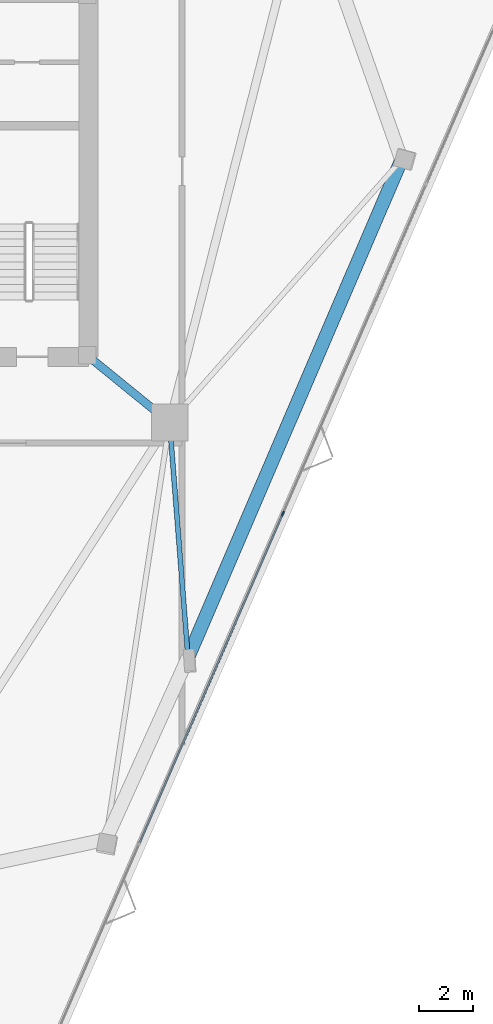
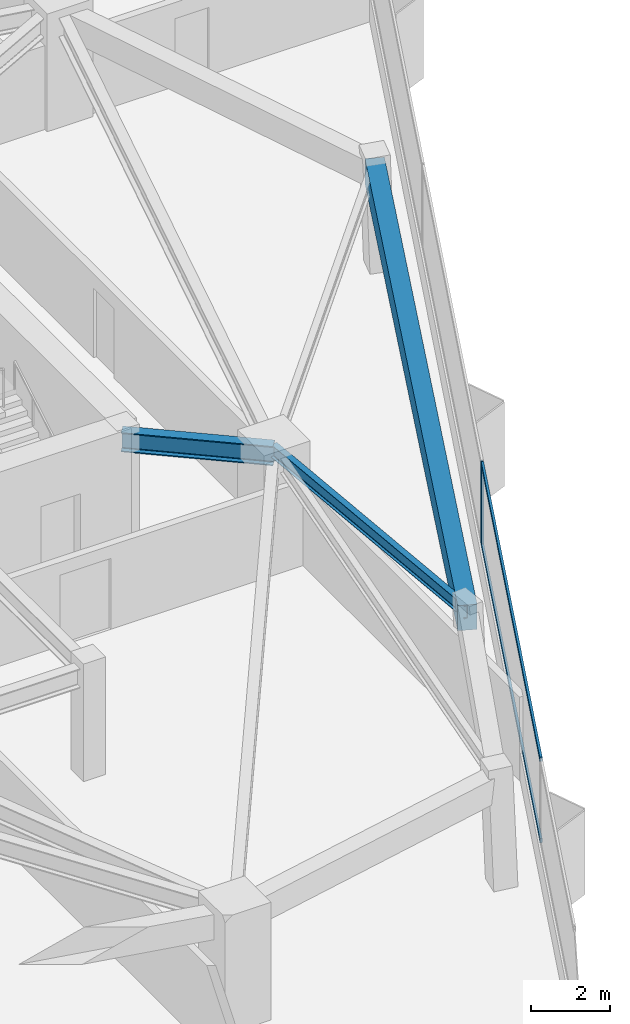
# One storey, part 4 of 12: 3 beams, 3 members, 1 element without a shape of its own.
"""IFC4 building model written with IfcOpenShell, lengths in metres."""

from ifc_helpers import new_model, si_unit, direction, frame, origin, origin_2d, place, context, subcontext, project, spatial, rectangle, i_section, extrude, material, layer, layer_set, material_profile, profile_set, type_object, element, aggregate, save


model = new_model("IFC4")

# Units and contexts
model_context = context("Model", 3, precision=1e-05, world=origin(), true_north=direction((0.0, 1.0)))
body_context = subcontext(model_context, "Body", "Model", "MODEL_VIEW")
ifc_project = project(units=[si_unit("LENGTHUNIT", "METRE"), si_unit("AREAUNIT", "SQUARE_METRE"), si_unit("VOLUMEUNIT", "CUBIC_METRE"), si_unit("PLANEANGLEUNIT", "RADIAN"), si_unit("MASSUNIT", "GRAM", prefix="KILO")], contexts=[model_context])

# Site, building, storey
site_placement = place(None, origin())
site = spatial("IfcSite", under=ifc_project, at=site_placement, CompositionType="ELEMENT")
building_placement = place(site_placement, origin())
building = spatial("IfcBuilding", under=site, at=building_placement, Name="Talyreon Biosciences Tower", CompositionType="ELEMENT")
storey_placement = place(building_placement, frame((0.0, 0.0, 194.0)))
storey = spatial("IfcBuildingStorey", under=building, at=storey_placement, Name="L51", CompositionType="ELEMENT", Elevation=194.0)

# Curtain wall, members
ifc_material_1 = material(Name="Thermally broken aluminium and low-E glazing", Category="aluminium")
ifc_layer = layer(ifc_material_1, 0.179931640625)
ifc_layer_set = layer_set([ifc_layer], Name="Thermally broken aluminium and low-E glazing")
curtain_wall_type = type_object("IfcCurtainWallType", Name="CurtainWall_Zone4Optical", PredefinedType="NOTDEFINED", material=ifc_layer_set)
curtain_wall_placement = place(storey_placement, origin())
curtain_wall = element("IfcCurtainWall", 1, at=curtain_wall_placement, inside=storey, type_object=curtain_wall_type, Name="L51 Unitised Curtain Wall FCW-L51-08", PredefinedType="NOTDEFINED")
ifc_material_2 = material(Name="Anodised thermally broken aluminium", Category="aluminium")
ifc_material_profile_1 = material_profile(ifc_material_2, rectangle(XDim=0.06494140625, YDim=0.179931640625, at=origin_2d()), Name="ALUM MULLION 65x180")
ifc_profile_set_1 = profile_set([ifc_material_profile_1], Name="Anodised thermally broken aluminium")
member_type_1 = type_object("IfcMemberType", Name="CWMullion_65x180", PredefinedType="MULLION", material=ifc_profile_set_1)
member_1_placement = place(storey_placement, frame((81.260498046875, 55.51953125, 0.81005859375), z_axis=(0.0, 0.0, 1.0), x_axis=(0.917010897502, -0.398862148946, 0.0)))
member_1 = element("IfcMember", 2, at=member_1_placement, type_object=member_type_1, Name="CW5 mullion 3", PredefinedType="MULLION", context=body_context, shape_type="SweptSolid", body=[
    extrude(rectangle(XDim=0.06494140625, YDim=0.179931640625, at=origin_2d()), origin(), (0.0, 0.0, 1.0), 2.58984375),
])
ifc_material_profile_2 = material_profile(ifc_material_2, rectangle(XDim=0.06494140625, YDim=0.139892578125, at=origin_2d()), Name="ALUM TRANSOM 65x140")
ifc_profile_set_2 = profile_set([ifc_material_profile_2], Name="Anodised thermally broken aluminium")
member_type_2 = type_object("IfcMemberType", Name="CWTransom_65x140", PredefinedType="USERDEFINED", material=ifc_profile_set_2)
member_2_placement = place(storey_placement, frame((81.24755859375, 55.48974609375, 0.842529296875), z_axis=(-0.398865642927, -0.917009377756, 0.0), x_axis=(0.917009377756, -0.398865642927, 0.0)))
member_2 = element("IfcMember", 3, at=member_2_placement, type_object=member_type_2, Name="CW5 transom 3.1", ObjectType="TRANSOM", PredefinedType="USERDEFINED", context=body_context, shape_type="SweptSolid", body=[
    extrude(rectangle(XDim=0.06494140625, YDim=0.139892578125, at=origin_2d()), origin(), (0.0, 0.0, 1.0), 13.179443359375),
])
member_3_placement = place(storey_placement, frame((81.24755859375, 55.48974609375, 3.367431640625), z_axis=(-0.398865642927, -0.917009377756, 0.0), x_axis=(0.917009377756, -0.398865642927, 0.0)))
member_3 = element("IfcMember", 4, at=member_3_placement, type_object=member_type_2, Name="CW5 transom 3.2", ObjectType="TRANSOM", PredefinedType="USERDEFINED", context=body_context, shape_type="SweptSolid", body=[
    extrude(rectangle(XDim=0.06494140625, YDim=0.139892578125, at=origin_2d()), origin(), (0.0, 0.0, 1.0), 13.179443359375),
])
aggregate(curtain_wall, [member_1, member_2, member_3])

# Beams
ifc_material_3 = material(Name="Precast concrete C45/55", Category="concrete")
ifc_material_profile_3 = material_profile(ifc_material_3, rectangle(XDim=0.5, YDim=0.780029296875, at=origin_2d()), Name="RCB 500x780")
ifc_profile_set_3 = profile_set([ifc_material_profile_3], Name="Precast concrete C45/55")
beam_type_1 = type_object("IfcBeamType", Name="ExpressedSpandrel_500x780", PredefinedType="SPANDREL", material=ifc_profile_set_3)
beam_1_placement = place(storey_placement, frame((77.763916015625, 50.21630859375, 3.010009765625), z_axis=(0.39417619505, 0.919034889031, 0.0), x_axis=(-0.919034889031, 0.39417619505, 0.0)))
element("IfcBeam", 5, at=beam_1_placement, inside=storey, type_object=beam_type_1, Name="L51 Expressed Horizontal Concrete Spandrel 03", PredefinedType="SPANDREL", context=body_context, shape_type="SweptSolid", body=[
    extrude(rectangle(XDim=0.5, YDim=0.780029296875, at=origin_2d()), origin(), (0.0, 0.0, 1.0), 19.9560546875),
])
ifc_material_4 = material(Name="Steel SM355", Category="steel")
ifc_material_profile_4 = material_profile(ifc_material_4, i_section(OverallWidth=0.300048828125, OverallDepth=0.60009765625, WebThickness=0.015380859375, FlangeThickness=0.030029296875, FilletRadius=0.027099609375, at=origin_2d()), Name="HE600B")
ifc_profile_set_4 = profile_set([ifc_material_profile_4], Name="Steel SM355")
beam_type_2 = type_object("IfcBeamType", Name="SteelBeam_HE600B", PredefinedType="BEAM", material=ifc_profile_set_4)
beam_2_placement = place(storey_placement, frame((74.050048828125, 61.35009765625, 3.10009765625), z_axis=(0.775755154013, -0.631034025249, 0.0), x_axis=(0.631034025249, 0.775755154013, 0.0)))
element("IfcBeam", 6, at=beam_2_placement, inside=storey, type_object=beam_type_2, Name="L51 Radial Primary Girder 2", PredefinedType="BEAM", context=body_context, shape_type="SweptSolid", body=[
    extrude(i_section(OverallWidth=0.300048828125, OverallDepth=0.60009765625, WebThickness=0.015380859375, FlangeThickness=0.030029296875, FilletRadius=0.027099609375, at=origin_2d()), origin(), (0.0, 0.0, 1.0), 3.913818359375),
])
ifc_material_profile_5 = material_profile(ifc_material_4, i_section(OverallWidth=0.179931640625, OverallDepth=0.39990234375, WebThickness=0.008544921875, FlangeThickness=0.013427734375, FilletRadius=0.02099609375, at=origin_2d()), Name="IPE400")
ifc_profile_set_5 = profile_set([ifc_material_profile_5], Name="Steel SM355")
beam_type_3 = type_object("IfcBeamType", Name="SteelJoist_IPE400", PredefinedType="JOIST", material=ifc_profile_set_5)
beam_3_placement = place(storey_placement, frame((77.086181640625, 58.88037109375, 3.199951171875), z_axis=(0.077985394959, -0.996954501556, 0.0), x_axis=(0.996954501556, 0.077985394959, 0.0)))
element("IfcBeam", 7, at=beam_3_placement, inside=storey, type_object=beam_type_3, Name="L51 Radial Composite Floor Joist PL-SE", PredefinedType="JOIST", context=body_context, shape_type="SweptSolid", body=[
    extrude(i_section(OverallWidth=0.179931640625, OverallDepth=0.39990234375, WebThickness=0.008544921875, FlangeThickness=0.013427734375, FilletRadius=0.02099609375, at=origin_2d()), origin(), (0.0, 0.0, 1.0), 8.6904296875),
])

save(model, "model.ifc")
